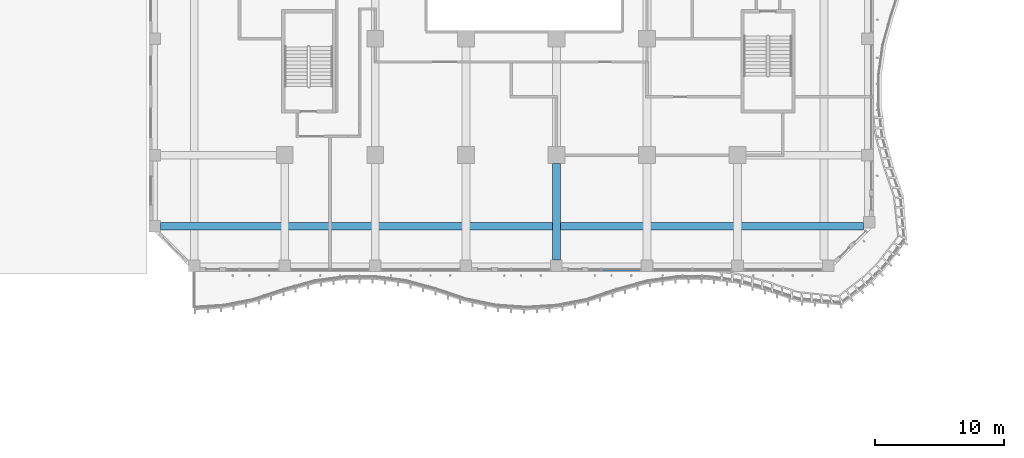
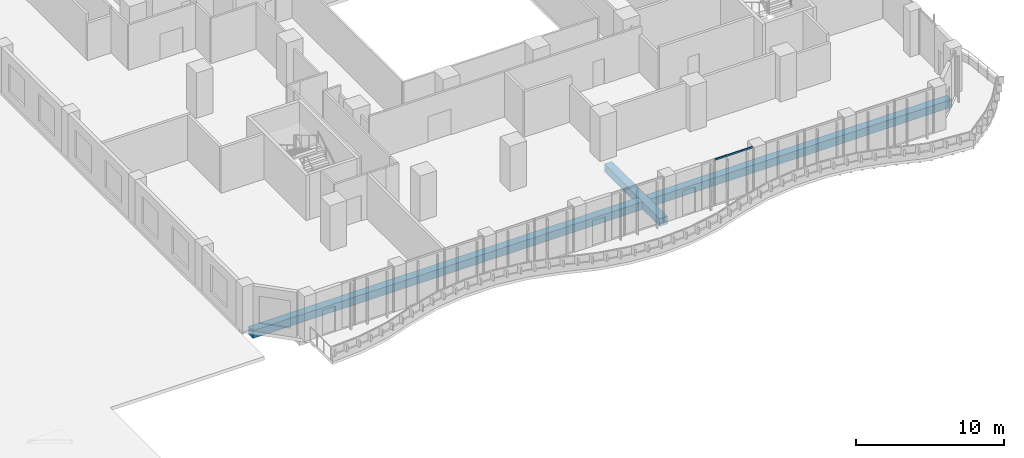
# One storey, part 4 of 29: 2 beams, 1 member, 1 element without a shape of its own.
"""IFC4 building model written with IfcOpenShell, lengths in metres."""

from ifc_helpers import new_model, si_unit, direction, frame, origin, origin_2d, place, context, subcontext, project, spatial, rectangle, extrude, source, transform, mapped, material, material_profile, profile_set, type_object, element, aggregate, save


model = new_model("IFC4")

# Units and contexts
model_context = context("Model", 3, precision=1e-05, world=origin(), true_north=direction((0.0, 1.0)))
body_context = subcontext(model_context, "Body", "Model", "MODEL_VIEW")
ifc_project = project(units=[si_unit("LENGTHUNIT", "METRE"), si_unit("AREAUNIT", "SQUARE_METRE"), si_unit("VOLUMEUNIT", "CUBIC_METRE"), si_unit("PLANEANGLEUNIT", "RADIAN"), si_unit("MASSUNIT", "GRAM", prefix="KILO")], contexts=[model_context])

# Site, building, storey
site_placement = place(None, origin())
site = spatial("IfcSite", under=ifc_project, at=site_placement, CompositionType="ELEMENT")
building_placement = place(site_placement, origin())
building = spatial("IfcBuilding", under=site, at=building_placement, Name="Kilnfold Tower and Market Hall", CompositionType="ELEMENT")
storey_placement = place(building_placement, frame((0.0, 0.0, 27.0)))
storey = spatial("IfcBuildingStorey", under=building, at=storey_placement, Name="L05", CompositionType="ELEMENT", Elevation=27.0)

# Beams
ifc_material_1 = material(Name="Concrete C45", Category="concrete")
ifc_material_profile_1 = material_profile(ifc_material_1, rectangle(XDim=0.60009765625, YDim=0.64990234375, at=origin_2d()), Name="RC 600x650")
ifc_profile_set_1 = profile_set([ifc_material_profile_1], Name="Concrete C45")
beam_type = type_object("IfcBeamType", Name="BEAM 600X650 C45", PredefinedType="BEAM", material=ifc_profile_set_1)
shared_shape_1 = source(origin(), body_context, "Body", "SweptSolid", [
    extrude(rectangle(XDim=0.60009765625, YDim=0.64990234375, at=origin_2d()), origin(), (0.0, 0.0, 1.0), 54.331787109375),
])
beam_1_placement = place(storey_placement, frame((-27.10009765625, -24.5, -0.60498046875), z_axis=(1.0, 0.0, 0.0), x_axis=(0.0, 1.0, 0.0)))
element("IfcBeam", 1, at=beam_1_placement, inside=storey, type_object=beam_type, Name="Beam BB650-B1.55", PredefinedType="BEAM", context=body_context, shape_type="MappedRepresentation", body=[
    mapped(shared_shape_1, transform((0.0, 0.0, 0.0))),
])
shared_shape_2 = source(origin(), body_context, "Body", "SweptSolid", [
    extrude(rectangle(XDim=0.60009765625, YDim=0.64990234375, at=origin_2d()), origin(), (0.0, 0.0, 1.0), 7.4501953125),
])
beam_2_placement = place(storey_placement, frame((3.5, -27.10009765625, -0.60498046875), z_axis=(0.0, 1.0, 0.0), x_axis=(-1.0, 0.0, 0.0)))
element("IfcBeam", 2, at=beam_2_placement, inside=storey, type_object=beam_type, Name="Beam BB650-B1.45", PredefinedType="BEAM", context=body_context, shape_type="MappedRepresentation", body=[
    mapped(shared_shape_2, transform((0.0, 0.0, 0.0))),
])

# Curtain wall, member
ifc_material_2 = material(Name="Aluminium and double glazing", Category="aluminium")
curtain_wall_type = type_object("IfcCurtainWallType", Name="CW OF1 VALLEY GLAZING", PredefinedType="NOTDEFINED", material=ifc_material_2)
curtain_wall_placement = place(storey_placement, origin())
curtain_wall = element("IfcCurtainWall", 3, at=curtain_wall_placement, inside=storey, type_object=curtain_wall_type, Name="Curtain wall CW1 L05 S", PredefinedType="NOTDEFINED")
ifc_material_3 = material(Name="Aluminium", Category="aluminium")
ifc_material_profile_2 = material_profile(ifc_material_3, rectangle(XDim=0.06005859375, YDim=0.139892578125, at=origin_2d()), Name="TRANSOM 60x140")
ifc_profile_set_2 = profile_set([ifc_material_profile_2], Name="Aluminium")
member_type = type_object("IfcMemberType", Name="TRANSOM 60X140", PredefinedType="USERDEFINED", material=ifc_profile_set_2)
shared_shape_3 = source(origin(), body_context, "Body", "SweptSolid", [
    extrude(rectangle(XDim=0.06005859375, YDim=0.139892578125, at=origin_2d()), origin(), (0.0, 0.0, 1.0), 2.929931640625),
])
member_placement = place(storey_placement, frame((7.06005859375, -27.85009765625, 3.68994140625), z_axis=(1.0, 0.0, 0.0), x_axis=(0.0, 1.0, 0.0)))
member = element("IfcMember", 4, at=member_placement, type_object=member_type, Name="CW1 transom 1.2", ObjectType="TRANSOM", PredefinedType="USERDEFINED", context=body_context, shape_type="MappedRepresentation", body=[
    mapped(shared_shape_3, transform((0.0, 0.0, 0.0))),
])
aggregate(curtain_wall, [member])

save(model, "model.ifc")
